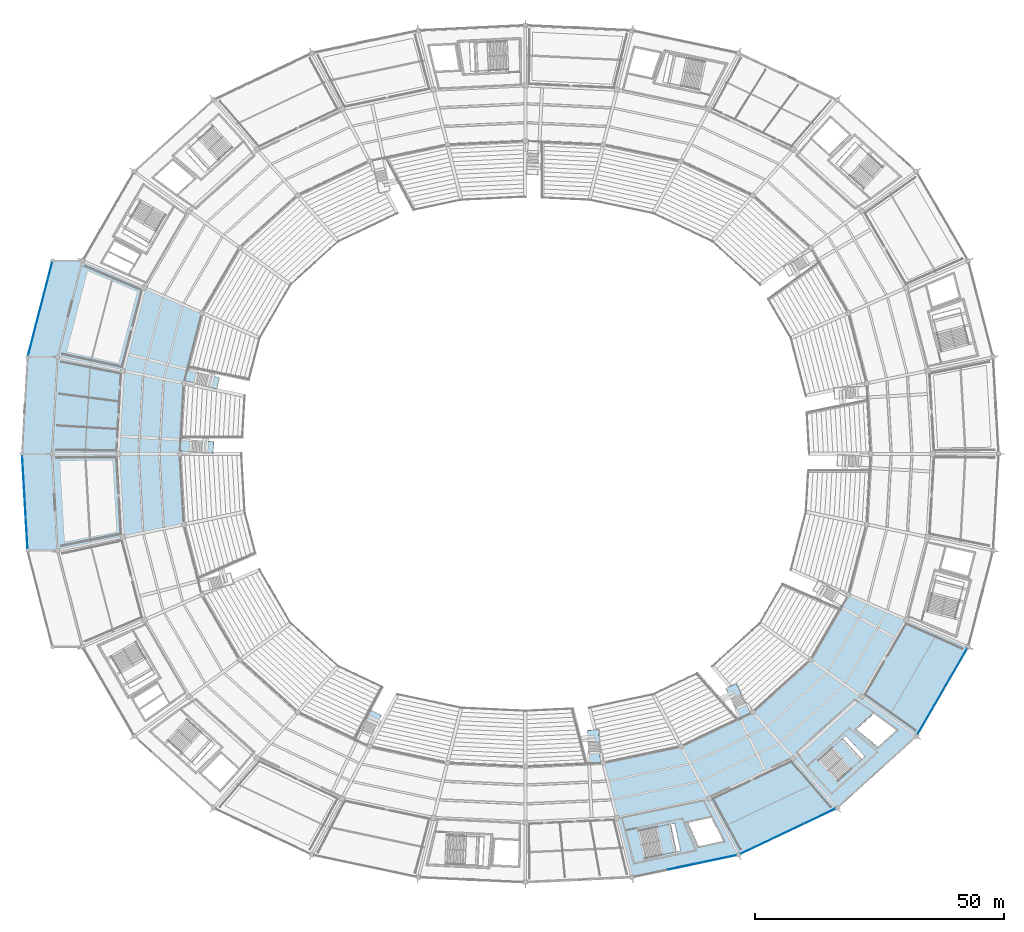
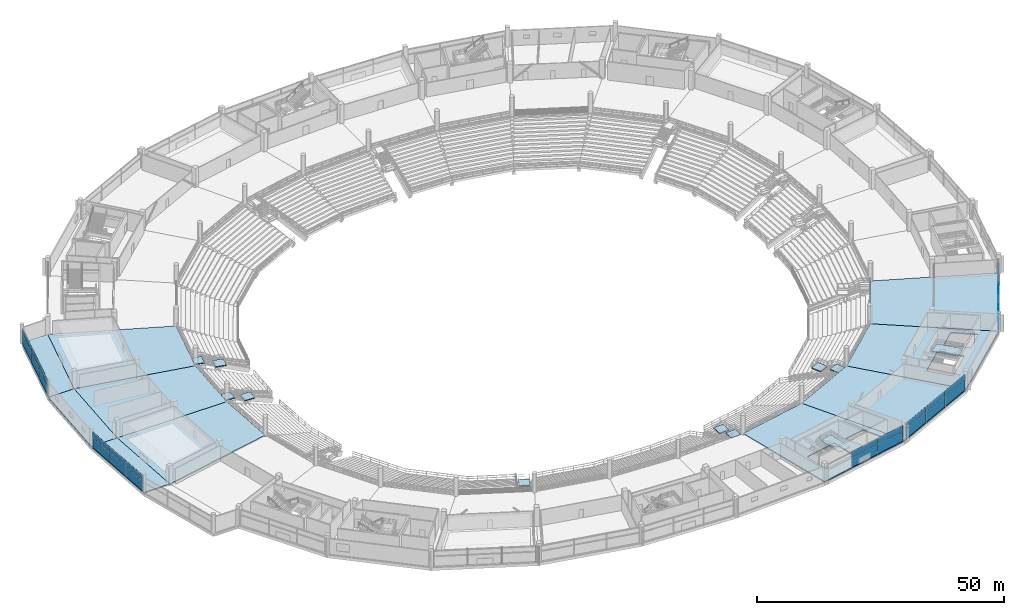
# One storey, part 97 of 156: 27 plates, 21 slabs, 12 elements without a shape of their own.
"""IFC4 building model written with IfcOpenShell, lengths in metres."""

from ifc_helpers import new_model, si_unit, direction, frame, origin, origin_2d, place, context, subcontext, project, spatial, polyline, rectangle, outline, extrude, material, layer, layer_set, type_object, element, aggregate, save


model = new_model("IFC4")

# Units and contexts
model_context = context("Model", 3, precision=1e-05, world=origin(), true_north=direction((0.0, 1.0)))
body_context = subcontext(model_context, "Body", "Model", "MODEL_VIEW")
ifc_project = project(units=[si_unit("LENGTHUNIT", "METRE"), si_unit("AREAUNIT", "SQUARE_METRE"), si_unit("VOLUMEUNIT", "CUBIC_METRE"), si_unit("PLANEANGLEUNIT", "RADIAN"), si_unit("MASSUNIT", "GRAM", prefix="KILO")], contexts=[model_context])

# Site, building, storey
site_placement = place(None, origin())
site = spatial("IfcSite", under=ifc_project, at=site_placement, CompositionType="ELEMENT")
building_placement = place(site_placement, origin())
building = spatial("IfcBuilding", under=site, at=building_placement, Name="Kazemori Nagisa Stadium", CompositionType="ELEMENT")
storey_placement = place(building_placement, frame((0.0, 0.0, 5.780029296875)))
storey = spatial("IfcBuildingStorey", under=building, at=storey_placement, Name="L01", CompositionType="ELEMENT", Elevation=5.780029296875)

# Curtain wall, plates
ifc_material_1 = material(Name="Anodised aluminium 6063-T5", Category="aluminium")
ifc_layer_1 = layer(ifc_material_1, 0.179931640625, Name="Anodised aluminium 6063-T5", Category="aluminium")
ifc_layer_set_1 = layer_set([ifc_layer_1], Name="Anodised aluminium 6063-T5")
curtain_wall_type_1 = type_object("IfcCurtainWallType", Name="CW_L01R3_105", PredefinedType="USERDEFINED", material=ifc_layer_set_1)
curtain_wall_1_placement = place(storey_placement, origin())
curtain_wall_1 = element("IfcCurtainWall", 1, at=curtain_wall_1_placement, inside=storey, type_object=curtain_wall_type_1, Name="Unitised curtain wall CW-L01R3-105 L01", ObjectType="UNITISED CURTAIN WALL", PredefinedType="USERDEFINED")
ifc_material_2 = material(Name="Anodised aluminium spandrel sheet", Category="aluminium")
ifc_layer_2 = layer(ifc_material_2, 0.0458984375, Name="Anodised aluminium spandrel sheet", Category="aluminium")
ifc_layer_set_2 = layer_set([ifc_layer_2], Name="Anodised aluminium spandrel sheet")
plate_type_1 = type_object("IfcPlateType", Name="CWPanel_SPN_L01R3_105", PredefinedType="CURTAIN_PANEL", material=ifc_layer_set_2)
plate_1_placement = place(storey_placement, frame((155.1162109375, 19.2744140625, 2.4638671875), z_axis=(0.0, 0.0, 1.0), x_axis=(0.978344955407, 0.206981033502, 0.0)))
plate_1 = element("IfcPlate", 2, at=plate_1_placement, type_object=plate_type_1, Name="Curtain wall spandrel panel CW-L01R3-105-S2", PredefinedType="CURTAIN_PANEL", context=body_context, shape_type="SweptSolid", body=[
    extrude(rectangle(XDim=6.942626953125, YDim=0.0458984375, at=origin_2d()), origin(), (0.0, 0.0, 1.0), 1.385986328125),
])
plate_2_placement = place(storey_placement, frame((161.93212890625, 20.716552734375, 2.4638671875), z_axis=(0.0, 0.0, 1.0), x_axis=(0.978344955407, 0.206981033502, 0.0)))
plate_2 = element("IfcPlate", 3, at=plate_2_placement, type_object=plate_type_1, Name="Curtain wall spandrel panel CW-L01R3-105-S3", PredefinedType="CURTAIN_PANEL", context=body_context, shape_type="SweptSolid", body=[
    extrude(rectangle(XDim=6.942626953125, YDim=0.0458984375, at=origin_2d()), origin(), (0.0, 0.0, 1.0), 1.385986328125),
])

curtain_wall_2_placement = place(storey_placement, origin())
curtain_wall_2 = element("IfcCurtainWall", 4, at=curtain_wall_2_placement, inside=storey, type_object=curtain_wall_type_1, Name="Unitised curtain wall CW-L01R3-105 L01", ObjectType="UNITISED CURTAIN WALL", PredefinedType="USERDEFINED")
plate_3_placement = place(storey_placement, frame((169.3896484375, 23.2392578125, 2.4638671875), z_axis=(0.0, 0.0, 1.0), x_axis=(0.903215892654, 0.429186499388, 0.0)))
plate_3 = element("IfcPlate", 5, at=plate_3_placement, type_object=plate_type_1, Name="Curtain wall spandrel panel CW-L01R3-105-S1", PredefinedType="CURTAIN_PANEL", context=body_context, shape_type="SweptSolid", body=[
    extrude(rectangle(XDim=6.964111328125, YDim=0.0458984375, at=origin_2d()), origin(), (0.0, 0.0, 1.0), 1.385986328125),
])
plate_4_placement = place(storey_placement, frame((175.701416015625, 26.23828125, 2.4638671875), z_axis=(0.0, 0.0, 1.0), x_axis=(0.903215892654, 0.429186499388, 0.0)))
plate_4 = element("IfcPlate", 6, at=plate_4_placement, type_object=plate_type_1, Name="Curtain wall spandrel panel CW-L01R3-105-S2", PredefinedType="CURTAIN_PANEL", context=body_context, shape_type="SweptSolid", body=[
    extrude(rectangle(XDim=6.964111328125, YDim=0.0458984375, at=origin_2d()), origin(), (0.0, 0.0, 1.0), 1.385986328125),
])
plate_5_placement = place(storey_placement, frame((182.01318359375, 29.237548828125, 2.4638671875), z_axis=(0.0, 0.0, 1.0), x_axis=(0.903215892654, 0.429186499388, 0.0)))
plate_5 = element("IfcPlate", 7, at=plate_5_placement, type_object=plate_type_1, Name="Curtain wall spandrel panel CW-L01R3-105-S3", PredefinedType="CURTAIN_PANEL", context=body_context, shape_type="SweptSolid", body=[
    extrude(rectangle(XDim=6.964111328125, YDim=0.0458984375, at=origin_2d()), origin(), (0.0, 0.0, 1.0), 1.385986328125),
])

ifc_layer_3 = layer(ifc_material_1, 0.179931640625, Name="Anodised aluminium 6063-T5", Category="aluminium")
ifc_layer_set_3 = layer_set([ifc_layer_3], Name="Anodised aluminium 6063-T5")
curtain_wall_type_2 = type_object("IfcCurtainWallType", Name="CW_L01R3_93", PredefinedType="USERDEFINED", material=ifc_layer_set_3)
curtain_wall_3_placement = place(storey_placement, origin())
curtain_wall_3 = element("IfcCurtainWall", 8, at=curtain_wall_3_placement, inside=storey, type_object=curtain_wall_type_2, Name="Unitised curtain wall CW-L01R3-93 L01", ObjectType="UNITISED CURTAIN WALL", PredefinedType="USERDEFINED")
ifc_layer_4 = layer(ifc_material_2, 0.0458984375, Name="Anodised aluminium spandrel sheet", Category="aluminium")
ifc_layer_set_4 = layer_set([ifc_layer_4], Name="Anodised aluminium spandrel sheet")
plate_type_2 = type_object("IfcPlateType", Name="CWPanel_SPN_L01R3_93", PredefinedType="CURTAIN_PANEL", material=ifc_layer_set_4)
plate_6_placement = place(storey_placement, frame((22.20361328125, 98.470947265625, 2.4638671875), z_axis=(0.0, 0.0, 1.0), x_axis=(0.057601670941, -0.998339645364, 0.0)))
plate_6 = element("IfcPlate", 9, at=plate_6_placement, type_object=plate_type_2, Name="Curtain wall spandrel panel CW-L01R3-93-S1", PredefinedType="CURTAIN_PANEL", context=body_context, shape_type="SweptSolid", body=[
    extrude(rectangle(XDim=6.156005859375, YDim=0.0458984375, at=origin_2d()), origin(), (0.0, 0.0, 1.0), 1.385986328125),
])
plate_7_placement = place(storey_placement, frame((22.5595703125, 92.30126953125, 2.4638671875), z_axis=(0.0, 0.0, 1.0), x_axis=(0.057601670941, -0.998339645364, 0.0)))
plate_7 = element("IfcPlate", 10, at=plate_7_placement, type_object=plate_type_2, Name="Curtain wall spandrel panel CW-L01R3-93-S2", PredefinedType="CURTAIN_PANEL", context=body_context, shape_type="SweptSolid", body=[
    extrude(rectangle(XDim=6.156005859375, YDim=0.0458984375, at=origin_2d()), origin(), (0.0, 0.0, 1.0), 1.385986328125),
])
plate_8_placement = place(storey_placement, frame((22.91552734375, 86.13134765625, 2.4638671875), z_axis=(0.0, 0.0, 1.0), x_axis=(0.057601670941, -0.998339645364, 0.0)))
plate_8 = element("IfcPlate", 11, at=plate_8_placement, type_object=plate_type_2, Name="Curtain wall spandrel panel CW-L01R3-93-S3", PredefinedType="CURTAIN_PANEL", context=body_context, shape_type="SweptSolid", body=[
    extrude(rectangle(XDim=6.156005859375, YDim=0.0458984375, at=origin_2d()), origin(), (0.0, 0.0, 1.0), 1.385986328125),
])

ifc_layer_5 = layer(ifc_material_1, 0.179931640625, Name="Anodised aluminium 6063-T5", Category="aluminium")
ifc_layer_set_5 = layer_set([ifc_layer_5], Name="Anodised aluminium 6063-T5")
curtain_wall_type_3 = type_object("IfcCurtainWallType", Name="CW_L01R3_96", PredefinedType="USERDEFINED", material=ifc_layer_set_5)
curtain_wall_4_placement = place(storey_placement, origin())
curtain_wall_4 = element("IfcCurtainWall", 12, at=curtain_wall_4_placement, inside=storey, type_object=curtain_wall_type_3, Name="Unitised curtain wall CW-L01R3-96 L01", ObjectType="UNITISED CURTAIN WALL", PredefinedType="USERDEFINED")
ifc_layer_6 = layer(ifc_material_2, 0.0458984375, Name="Anodised aluminium spandrel sheet", Category="aluminium")
ifc_layer_set_6 = layer_set([ifc_layer_6], Name="Anodised aluminium spandrel sheet")
plate_type_3 = type_object("IfcPlateType", Name="CWPanel_SPN_L01R3_96", PredefinedType="CURTAIN_PANEL", material=ifc_layer_set_6)
plate_9_placement = place(storey_placement, frame((27.208251953125, 137.237060546875, 2.4638671875), z_axis=(0.0, 0.0, 1.0), x_axis=(-0.249964642418, -0.968254965152, 0.0)))
plate_9 = element("IfcPlate", 13, at=plate_9_placement, type_object=plate_type_3, Name="Curtain wall spandrel panel CW-L01R3-96-S1", PredefinedType="CURTAIN_PANEL", context=body_context, shape_type="SweptSolid", body=[
    extrude(rectangle(XDim=6.34130859375, YDim=0.0458984375, at=origin_2d()), origin(), (0.0, 0.0, 1.0), 1.385986328125),
])
plate_10_placement = place(storey_placement, frame((25.6171875, 131.07373046875, 2.4638671875), z_axis=(0.0, 0.0, 1.0), x_axis=(-0.249964642418, -0.968254965152, 0.0)))
plate_10 = element("IfcPlate", 14, at=plate_10_placement, type_object=plate_type_3, Name="Curtain wall spandrel panel CW-L01R3-96-S2", PredefinedType="CURTAIN_PANEL", context=body_context, shape_type="SweptSolid", body=[
    extrude(rectangle(XDim=6.34130859375, YDim=0.0458984375, at=origin_2d()), origin(), (0.0, 0.0, 1.0), 1.385986328125),
])
plate_11_placement = place(storey_placement, frame((24.02587890625, 124.91015625, 2.4638671875), z_axis=(0.0, 0.0, 1.0), x_axis=(-0.249964642418, -0.968254965152, 0.0)))
plate_11 = element("IfcPlate", 15, at=plate_11_placement, type_object=plate_type_3, Name="Curtain wall spandrel panel CW-L01R3-96-S3", PredefinedType="CURTAIN_PANEL", context=body_context, shape_type="SweptSolid", body=[
    extrude(rectangle(XDim=6.34130859375, YDim=0.0458984375, at=origin_2d()), origin(), (0.0, 0.0, 1.0), 1.385986328125),
])

ifc_layer_7 = layer(ifc_material_1, 0.179931640625, Name="Anodised aluminium 6063-T5", Category="aluminium")
ifc_layer_set_7 = layer_set([ifc_layer_7], Name="Anodised aluminium 6063-T5")
curtain_wall_type_4 = type_object("IfcCurtainWallType", Name="CW_L01R3_99", PredefinedType="USERDEFINED", material=ifc_layer_set_7)
curtain_wall_5_placement = place(storey_placement, origin())
curtain_wall_5 = element("IfcCurtainWall", 16, at=curtain_wall_5_placement, inside=storey, type_object=curtain_wall_type_4, Name="Unitised curtain wall CW-L01R3-99 L01", ObjectType="UNITISED CURTAIN WALL", PredefinedType="USERDEFINED")
ifc_layer_8 = layer(ifc_material_2, 0.0458984375, Name="Anodised aluminium spandrel sheet", Category="aluminium")
ifc_layer_set_8 = layer_set([ifc_layer_8], Name="Anodised aluminium spandrel sheet")
plate_type_4 = type_object("IfcPlateType", Name="CWPanel_SPN_L01R3_99", PredefinedType="CURTAIN_PANEL", material=ifc_layer_set_8)
plate_12_placement = place(storey_placement, frame((203.3857421875, 48.5927734375, 2.4638671875), z_axis=(0.0, 0.0, 1.0), x_axis=(0.501611590054, 0.865092950337, 0.0)))
plate_12 = element("IfcPlate", 17, at=plate_12_placement, type_object=plate_type_4, Name="Curtain wall spandrel panel CW-L01R3-99-S1", PredefinedType="CURTAIN_PANEL", context=body_context, shape_type="SweptSolid", body=[
    extrude(rectangle(XDim=6.563232421875, YDim=0.0458984375, at=origin_2d()), origin(), (0.0, 0.0, 1.0), 1.385986328125),
])
plate_13_placement = place(storey_placement, frame((206.690185546875, 54.29150390625, 2.4638671875), z_axis=(0.0, 0.0, 1.0), x_axis=(0.501611590054, 0.865092950337, 0.0)))
plate_13 = element("IfcPlate", 18, at=plate_13_placement, type_object=plate_type_4, Name="Curtain wall spandrel panel CW-L01R3-99-S2", PredefinedType="CURTAIN_PANEL", context=body_context, shape_type="SweptSolid", body=[
    extrude(rectangle(XDim=6.563232421875, YDim=0.0458984375, at=origin_2d()), origin(), (0.0, 0.0, 1.0), 1.385986328125),
])

# Plate
ifc_material_3 = material(Name="Low-e laminated double glazing", Category="glass")
ifc_layer_9 = layer(ifc_material_3, 0.028076171875, Name="Low-e laminated double glazing", Category="glass")
ifc_layer_set_9 = layer_set([ifc_layer_9], Name="Low-e laminated double glazing")
plate_type_5 = type_object("IfcPlateType", Name="CWPanel_VIS_L01R3_105", PredefinedType="CURTAIN_PANEL", material=ifc_layer_set_9)
plate_14_placement = place(storey_placement, frame((155.1162109375, 19.2744140625, 0.0), z_axis=(0.0, 0.0, 1.0), x_axis=(0.978344955407, 0.206981033502, 0.0)))
plate_14 = element("IfcPlate", 19, at=plate_14_placement, type_object=plate_type_5, Name="Curtain wall vision panel CW-L01R3-105-V2", PredefinedType="CURTAIN_PANEL", context=body_context, shape_type="SweptSolid", body=[
    extrude(rectangle(XDim=6.942626953125, YDim=0.028076171875, at=origin_2d()), origin(), (0.0, 0.0, 1.0), 2.464111328125),
])

plate_15_placement = place(storey_placement, frame((161.93212890625, 20.716552734375, 0.0), z_axis=(0.0, 0.0, 1.0), x_axis=(0.978344955407, 0.206981033502, 0.0)))
plate_15 = element("IfcPlate", 20, at=plate_15_placement, type_object=plate_type_5, Name="Curtain wall vision panel CW-L01R3-105-V3", PredefinedType="CURTAIN_PANEL", context=body_context, shape_type="SweptSolid", body=[
    extrude(rectangle(XDim=6.942626953125, YDim=0.028076171875, at=origin_2d()), origin(), (0.0, 0.0, 1.0), 2.464111328125),
])

aggregate(curtain_wall_1, [plate_14, plate_1, plate_15, plate_2])

plate_16_placement = place(storey_placement, frame((169.3896484375, 23.2392578125, 0.0), z_axis=(0.0, 0.0, 1.0), x_axis=(0.903215892654, 0.429186499388, 0.0)))
plate_16 = element("IfcPlate", 21, at=plate_16_placement, type_object=plate_type_5, Name="Curtain wall vision panel CW-L01R3-105-V1", PredefinedType="CURTAIN_PANEL", context=body_context, shape_type="SweptSolid", body=[
    extrude(rectangle(XDim=6.964111328125, YDim=0.028076171875, at=origin_2d()), origin(), (0.0, 0.0, 1.0), 2.464111328125),
])

plate_17_placement = place(storey_placement, frame((175.701416015625, 26.23828125, 0.0), z_axis=(0.0, 0.0, 1.0), x_axis=(0.903215892654, 0.429186499388, 0.0)))
plate_17 = element("IfcPlate", 22, at=plate_17_placement, type_object=plate_type_5, Name="Curtain wall vision panel CW-L01R3-105-V2", PredefinedType="CURTAIN_PANEL", context=body_context, shape_type="SweptSolid", body=[
    extrude(rectangle(XDim=6.964111328125, YDim=0.028076171875, at=origin_2d()), origin(), (0.0, 0.0, 1.0), 2.464111328125),
])

plate_18_placement = place(storey_placement, frame((182.01318359375, 29.237548828125, 0.0), z_axis=(0.0, 0.0, 1.0), x_axis=(0.903215892654, 0.429186499388, 0.0)))
plate_18 = element("IfcPlate", 23, at=plate_18_placement, type_object=plate_type_5, Name="Curtain wall vision panel CW-L01R3-105-V3", PredefinedType="CURTAIN_PANEL", context=body_context, shape_type="SweptSolid", body=[
    extrude(rectangle(XDim=6.964111328125, YDim=0.028076171875, at=origin_2d()), origin(), (0.0, 0.0, 1.0), 2.464111328125),
])

aggregate(curtain_wall_2, [plate_16, plate_3, plate_17, plate_4, plate_18, plate_5])

ifc_layer_10 = layer(ifc_material_3, 0.028076171875, Name="Low-e laminated double glazing", Category="glass")
ifc_layer_set_10 = layer_set([ifc_layer_10], Name="Low-e laminated double glazing")
plate_type_6 = type_object("IfcPlateType", Name="CWPanel_VIS_L01R3_93", PredefinedType="CURTAIN_PANEL", material=ifc_layer_set_10)
plate_19_placement = place(storey_placement, frame((22.20361328125, 98.470947265625, 0.0), z_axis=(0.0, 0.0, 1.0), x_axis=(0.057601670941, -0.998339645364, 0.0)))
plate_19 = element("IfcPlate", 24, at=plate_19_placement, type_object=plate_type_6, Name="Curtain wall vision panel CW-L01R3-93-V1", PredefinedType="CURTAIN_PANEL", context=body_context, shape_type="SweptSolid", body=[
    extrude(rectangle(XDim=6.156005859375, YDim=0.028076171875, at=origin_2d()), origin(), (0.0, 0.0, 1.0), 2.464111328125),
])

plate_20_placement = place(storey_placement, frame((22.5595703125, 92.30126953125, 0.0), z_axis=(0.0, 0.0, 1.0), x_axis=(0.057601670941, -0.998339645364, 0.0)))
plate_20 = element("IfcPlate", 25, at=plate_20_placement, type_object=plate_type_6, Name="Curtain wall vision panel CW-L01R3-93-V2", PredefinedType="CURTAIN_PANEL", context=body_context, shape_type="SweptSolid", body=[
    extrude(rectangle(XDim=6.156005859375, YDim=0.028076171875, at=origin_2d()), origin(), (0.0, 0.0, 1.0), 2.464111328125),
])

plate_21_placement = place(storey_placement, frame((22.91552734375, 86.13134765625, 0.0), z_axis=(0.0, 0.0, 1.0), x_axis=(0.057601670941, -0.998339645364, 0.0)))
plate_21 = element("IfcPlate", 26, at=plate_21_placement, type_object=plate_type_6, Name="Curtain wall vision panel CW-L01R3-93-V3", PredefinedType="CURTAIN_PANEL", context=body_context, shape_type="SweptSolid", body=[
    extrude(rectangle(XDim=6.156005859375, YDim=0.028076171875, at=origin_2d()), origin(), (0.0, 0.0, 1.0), 2.464111328125),
])

aggregate(curtain_wall_3, [plate_19, plate_6, plate_20, plate_7, plate_21, plate_8])

ifc_layer_11 = layer(ifc_material_3, 0.028076171875, Name="Low-e laminated double glazing", Category="glass")
ifc_layer_set_11 = layer_set([ifc_layer_11], Name="Low-e laminated double glazing")
plate_type_7 = type_object("IfcPlateType", Name="CWPanel_VIS_L01R3_96", PredefinedType="CURTAIN_PANEL", material=ifc_layer_set_11)
plate_22_placement = place(storey_placement, frame((27.208251953125, 137.237060546875, 0.0), z_axis=(0.0, 0.0, 1.0), x_axis=(-0.249964642418, -0.968254965152, 0.0)))
plate_22 = element("IfcPlate", 27, at=plate_22_placement, type_object=plate_type_7, Name="Curtain wall vision panel CW-L01R3-96-V1", PredefinedType="CURTAIN_PANEL", context=body_context, shape_type="SweptSolid", body=[
    extrude(rectangle(XDim=6.34130859375, YDim=0.028076171875, at=origin_2d()), origin(), (0.0, 0.0, 1.0), 2.464111328125),
])

plate_23_placement = place(storey_placement, frame((25.6171875, 131.07373046875, 0.0), z_axis=(0.0, 0.0, 1.0), x_axis=(-0.249964642418, -0.968254965152, 0.0)))
plate_23 = element("IfcPlate", 28, at=plate_23_placement, type_object=plate_type_7, Name="Curtain wall vision panel CW-L01R3-96-V2", PredefinedType="CURTAIN_PANEL", context=body_context, shape_type="SweptSolid", body=[
    extrude(rectangle(XDim=6.34130859375, YDim=0.028076171875, at=origin_2d()), origin(), (0.0, 0.0, 1.0), 2.464111328125),
])

plate_24_placement = place(storey_placement, frame((24.02587890625, 124.91015625, 0.0), z_axis=(0.0, 0.0, 1.0), x_axis=(-0.249964642418, -0.968254965152, 0.0)))
plate_24 = element("IfcPlate", 29, at=plate_24_placement, type_object=plate_type_7, Name="Curtain wall vision panel CW-L01R3-96-V3", PredefinedType="CURTAIN_PANEL", context=body_context, shape_type="SweptSolid", body=[
    extrude(rectangle(XDim=6.34130859375, YDim=0.028076171875, at=origin_2d()), origin(), (0.0, 0.0, 1.0), 2.464111328125),
])

aggregate(curtain_wall_4, [plate_22, plate_9, plate_23, plate_10, plate_24, plate_11])

ifc_layer_12 = layer(ifc_material_3, 0.028076171875, Name="Low-e laminated double glazing", Category="glass")
ifc_layer_set_12 = layer_set([ifc_layer_12], Name="Low-e laminated double glazing")
plate_type_8 = type_object("IfcPlateType", Name="CWPanel_VIS_L01R3_99", PredefinedType="CURTAIN_PANEL", material=ifc_layer_set_12)
plate_25_placement = place(storey_placement, frame((203.3857421875, 48.5927734375, 0.0), z_axis=(0.0, 0.0, 1.0), x_axis=(0.501611590054, 0.865092950337, 0.0)))
plate_25 = element("IfcPlate", 30, at=plate_25_placement, type_object=plate_type_8, Name="Curtain wall vision panel CW-L01R3-99-V1", PredefinedType="CURTAIN_PANEL", context=body_context, shape_type="SweptSolid", body=[
    extrude(rectangle(XDim=6.563232421875, YDim=0.028076171875, at=origin_2d()), origin(), (0.0, 0.0, 1.0), 2.464111328125),
])

plate_26_placement = place(storey_placement, frame((206.690185546875, 54.29150390625, 0.0), z_axis=(0.0, 0.0, 1.0), x_axis=(0.501611590054, 0.865092950337, 0.0)))
plate_26 = element("IfcPlate", 31, at=plate_26_placement, type_object=plate_type_8, Name="Curtain wall vision panel CW-L01R3-99-V2", PredefinedType="CURTAIN_PANEL", context=body_context, shape_type="SweptSolid", body=[
    extrude(rectangle(XDim=6.563232421875, YDim=0.028076171875, at=origin_2d()), origin(), (0.0, 0.0, 1.0), 2.464111328125),
])

plate_27_placement = place(storey_placement, frame((209.994384765625, 59.990234375, 0.0), z_axis=(0.0, 0.0, 1.0), x_axis=(0.501611590054, 0.865092950337, 0.0)))
plate_27 = element("IfcPlate", 32, at=plate_27_placement, type_object=plate_type_8, Name="Curtain wall vision panel CW-L01R3-99-V3", PredefinedType="CURTAIN_PANEL", context=body_context, shape_type="SweptSolid", body=[
    extrude(rectangle(XDim=6.563232421875, YDim=0.028076171875, at=origin_2d()), origin(), (0.0, 0.0, 1.0), 2.464111328125),
])

aggregate(curtain_wall_5, [plate_25, plate_12, plate_26, plate_13, plate_27])

# Slabs
ifc_material_4 = material(Name="Concrete C36/45 (Fc36)", Category="concrete")
ifc_layer_13 = layer(ifc_material_4, 0.280029296875, Name="Concrete C36/45 (Fc36)", Category="concrete")
ifc_layer_set_13 = layer_set([ifc_layer_13], Name="Concrete C36/45 (Fc36)")
slab_type_1 = type_object("IfcSlabType", Name="Slab_SL-CONC-280", PredefinedType="FLOOR", material=ifc_layer_set_13)
slab_1_placement = place(storey_placement, frame((0.0, 0.0, -0.280029296875)))
element("IfcSlab", 33, at=slab_1_placement, inside=storey, type_object=slab_type_1, Name="Concourse floor slab L01 bay 13", PredefinedType="FLOOR", context=body_context, shape_type="SweptSolid", body=[
    extrude(outline(polyline([(58.114013671875, 130.287109375), (54.467041015625, 116.160400390625), (29.119140625, 121.397705078125), (34.114990234375, 140.74951171875), (58.114013671875, 130.287109375)])), origin(), (0.0, 0.0, 1.0), 0.280029296875),
])
slab_2_placement = place(storey_placement, frame((0.0, 0.0, -0.280029296875)))
element("IfcSlab", 34, at=slab_2_placement, inside=storey, type_object=slab_type_1, Name="Concourse floor slab L01 bay 14", PredefinedType="FLOOR", context=body_context, shape_type="SweptSolid", body=[
    extrude(outline(polyline([(54.467041015625, 116.160400390625), (53.64990234375, 102.0), (28.0, 102.0), (29.119140625, 121.397705078125), (54.467041015625, 116.160400390625)])), origin(), (0.0, 0.0, 1.0), 0.280029296875),
])
slab_3_placement = place(storey_placement, frame((0.0, 0.0, -0.280029296875)))
element("IfcSlab", 35, at=slab_3_placement, inside=storey, type_object=slab_type_1, Name="Concourse floor slab L01 bay 15", PredefinedType="FLOOR", context=body_context, shape_type="SweptSolid", body=[
    extrude(outline(polyline([(53.64990234375, 102.0), (54.467041015625, 87.839599609375), (29.119140625, 82.602294921875), (28.0, 102.0), (53.64990234375, 102.0)])), origin(), (0.0, 0.0, 1.0), 0.280029296875),
])
slab_4_placement = place(storey_placement, frame((0.0, 0.0, -0.280029296875)))
element("IfcSlab", 36, at=slab_4_placement, inside=storey, type_object=slab_type_1, Name="Concourse floor slab L01 bay 23", PredefinedType="FLOOR", context=body_context, shape_type="SweptSolid", body=[
    extrude(outline(polyline([(138.64208984375, 39.959716796875), (154.24755859375, 43.260986328125), (165.8046875, 21.53564453125), (144.427734375, 17.01318359375), (138.64208984375, 39.959716796875)]), holes=[polyline([(145.77685546875, 26.353271484375), (152.9970703125, 27.880615234375), (154.177001953125, 22.30419921875), (146.956787109375, 20.776611328125), (145.77685546875, 26.353271484375)]), polyline([(155.704833984375, 27.992919921875), (160.3427734375, 28.97412109375), (162.738525390625, 24.288818359375), (157.802978515625, 23.24462890625), (155.704833984375, 27.992919921875)])]), origin(), (0.0, 0.0, 1.0), 0.280029296875),
])
slab_5_placement = place(storey_placement, frame((0.0, 0.0, -0.280029296875)))
element("IfcSlab", 37, at=slab_5_placement, inside=storey, type_object=slab_type_1, Name="Concourse floor slab L01 bay 24", PredefinedType="FLOOR", context=body_context, shape_type="SweptSolid", body=[
    extrude(outline(polyline([(154.24755859375, 43.260986328125), (168.696533203125, 50.126953125), (185.597900390625, 30.94091796875), (165.8046875, 21.53564453125), (154.24755859375, 43.260986328125)])), origin(), (0.0, 0.0, 1.0), 0.280029296875),
])
slab_6_placement = place(storey_placement, frame((0.0, 0.0, -0.280029296875)))
element("IfcSlab", 38, at=slab_6_placement, inside=storey, type_object=slab_type_1, Name="Concourse floor slab L01 bay 25", PredefinedType="FLOOR", context=body_context, shape_type="SweptSolid", body=[
    extrude(outline(polyline([(168.696533203125, 50.126953125), (180.301513671875, 60.632568359375), (201.495361328125, 45.332275390625), (185.597900390625, 30.94091796875), (168.696533203125, 50.126953125)]), holes=[polyline([(181.87890625, 40.5205078125), (187.35009765625, 45.473388671875), (191.17529296875, 41.247802734375), (185.7041015625, 36.294921875), (181.87890625, 40.5205078125)]), polyline([(189.504638671875, 46.739501953125), (192.953857421875, 49.86181640625), (197.442138671875, 46.5166015625), (193.771728515625, 43.19384765625), (189.504638671875, 46.739501953125)])]), origin(), (0.0, 0.0, 1.0), 0.280029296875),
])
slab_7_placement = place(storey_placement, frame((0.0, 0.0, -0.280029296875)))
element("IfcSlab", 39, at=slab_7_placement, inside=storey, type_object=slab_type_1, Name="Concourse floor slab L01 bay 26", PredefinedType="FLOOR", context=body_context, shape_type="SweptSolid", body=[
    extrude(outline(polyline([(180.301513671875, 60.632568359375), (187.885986328125, 73.712890625), (211.885009765625, 63.25048828125), (201.495361328125, 45.332275390625), (180.301513671875, 60.632568359375)])), origin(), (0.0, 0.0, 1.0), 0.280029296875),
])
slab_8_placement = place(storey_placement, frame((0.0, 0.0, -0.280029296875)))
element("IfcSlab", 40, at=slab_8_placement, inside=storey, type_object=slab_type_1, Name="West grandstand floor slab L01 B13", PredefinedType="FLOOR", context=body_context, shape_type="SweptSolid", body=[
    extrude(outline(polyline([(34.114990234375, 140.74951171875), (29.119140625, 121.397705078125), (23.119140625, 121.397705078125), (28.114990234375, 140.74951171875), (34.114990234375, 140.74951171875)])), origin(), (0.0, 0.0, 1.0), 0.280029296875),
])
slab_9_placement = place(storey_placement, frame((0.0, 0.0, -0.280029296875)))
element("IfcSlab", 41, at=slab_9_placement, inside=storey, type_object=slab_type_1, Name="West grandstand floor slab L01 B14", PredefinedType="FLOOR", context=body_context, shape_type="SweptSolid", body=[
    extrude(outline(polyline([(29.119140625, 121.397705078125), (28.0, 102.0), (22.0, 102.0), (23.119140625, 121.397705078125), (29.119140625, 121.397705078125)])), origin(), (0.0, 0.0, 1.0), 0.280029296875),
])
slab_10_placement = place(storey_placement, frame((0.0, 0.0, -0.280029296875)))
element("IfcSlab", 42, at=slab_10_placement, inside=storey, type_object=slab_type_1, Name="West grandstand floor slab L01 B15", PredefinedType="FLOOR", context=body_context, shape_type="SweptSolid", body=[
    extrude(outline(polyline([(28.0, 102.0), (29.119140625, 82.602294921875), (23.119140625, 82.602294921875), (22.0, 102.0), (28.0, 102.0)])), origin(), (0.0, 0.0, 1.0), 0.280029296875),
])

# Stair, slab
stair_type_1 = type_object("IfcStairType", Name="Stair_CORE_28", PredefinedType="TWO_STRAIGHT_RUN_STAIR", material=ifc_material_4)
stair_1_placement = place(storey_placement, origin())
stair_1 = element("IfcStair", 43, at=stair_1_placement, inside=storey, type_object=stair_type_1, Name="Exit stair ST06 L01", PredefinedType="TWO_STRAIGHT_RUN_STAIR")
ifc_layer_14 = layer(ifc_material_4, 0.199951171875, Name="Concrete C36/45 (Fc36)", Category="concrete")
ifc_layer_set_14 = layer_set([ifc_layer_14], Name="Concrete C36/45 (Fc36)")
slab_type_2 = type_object("IfcSlabType", Name="Slab_SL-LND-200", PredefinedType="LANDING", material=ifc_layer_set_14)
slab_11_placement = place(storey_placement, frame((0.0, 0.0, 2.179931640625)))
slab_11 = element("IfcSlab", 44, at=slab_11_placement, type_object=slab_type_2, Name="Exit stair ST06 L01 mid-landing", PredefinedType="LANDING", context=body_context, shape_type="SweptSolid", body=[
    extrude(outline(polyline([(149.372314453125, 27.11376953125), (152.16064453125, 27.70361328125), (153.34033203125, 22.127197265625), (150.552001953125, 21.537353515625), (149.372314453125, 27.11376953125)])), origin(), (0.0, 0.0, 1.0), 0.199951171875),
])
aggregate(stair_1, [slab_11])

stair_2_placement = place(storey_placement, origin())
stair_2 = element("IfcStair", 45, at=stair_2_placement, inside=storey, type_object=stair_type_1, Name="Exit stair ST04 L01", PredefinedType="TWO_STRAIGHT_RUN_STAIR")
slab_12_placement = place(storey_placement, frame((0.0, 0.0, 2.179931640625)))
slab_12 = element("IfcSlab", 46, at=slab_12_placement, type_object=slab_type_2, Name="Exit stair ST04 L01 mid-landing", PredefinedType="LANDING", context=body_context, shape_type="SweptSolid", body=[
    extrude(outline(polyline([(184.603271484375, 42.98681640625), (186.716064453125, 44.899658203125), (190.54150390625, 40.673828125), (188.4287109375, 38.76123046875), (184.603271484375, 42.98681640625)])), origin(), (0.0, 0.0, 1.0), 0.199951171875),
])
aggregate(stair_2, [slab_12])

stair_type_2 = type_object("IfcStairType", Name="Stair_VOM_VL", PredefinedType="STRAIGHT_RUN_STAIR", material=ifc_material_4)
stair_3_placement = place(storey_placement, origin())
stair_3 = element("IfcStair", 47, at=stair_3_placement, inside=storey, type_object=stair_type_2, Name="Vomitory stair lower VL05", PredefinedType="STRAIGHT_RUN_STAIR")
ifc_layer_15 = layer(ifc_material_4, 0.219970703125, Name="Concrete C36/45 (Fc36)", Category="concrete")
ifc_layer_set_15 = layer_set([ifc_layer_15], Name="Concrete C36/45 (Fc36)")
slab_type_3 = type_object("IfcSlabType", Name="Slab_SL-LND-220", PredefinedType="LANDING", material=ifc_layer_set_15)
slab_13_placement = place(storey_placement, frame((0.0, 0.0, -1.659912109375)))
slab_13 = element("IfcSlab", 48, at=slab_13_placement, type_object=slab_type_3, Name="Vomitory stair lower VL05 landing", PredefinedType="LANDING", context=body_context, shape_type="SweptSolid", body=[
    extrude(outline(polyline([(58.81640625, 115.60546875), (59.391357421875, 117.83251953125), (61.6376953125, 117.252685546875), (61.062744140625, 115.025634765625), (58.81640625, 115.60546875)])), origin(), (0.0, 0.0, 1.0), 0.219970703125),
])
aggregate(stair_3, [slab_13])

stair_4_placement = place(storey_placement, origin())
stair_4 = element("IfcStair", 49, at=stair_4_placement, inside=storey, type_object=stair_type_2, Name="Vomitory stair lower VL06", PredefinedType="STRAIGHT_RUN_STAIR")
slab_14_placement = place(storey_placement, frame((0.0, 0.0, -1.659912109375)))
slab_14 = element("IfcSlab", 50, at=slab_14_placement, type_object=slab_type_3, Name="Vomitory stair lower VL06 landing", PredefinedType="LANDING", context=body_context, shape_type="SweptSolid", body=[
    extrude(outline(polyline([(58.0244140625, 102.298583984375), (58.156982421875, 104.5947265625), (60.47314453125, 104.461181640625), (60.340576171875, 102.164794921875), (58.0244140625, 102.298583984375)])), origin(), (0.0, 0.0, 1.0), 0.219970703125),
])
aggregate(stair_4, [slab_14])

stair_5_placement = place(storey_placement, origin())
stair_5 = element("IfcStair", 51, at=stair_5_placement, inside=storey, type_object=stair_type_2, Name="Vomitory stair lower VL08", PredefinedType="STRAIGHT_RUN_STAIR")
slab_15_placement = place(storey_placement, frame((0.0, 0.0, -1.659912109375)))
slab_15 = element("IfcSlab", 52, at=slab_15_placement, type_object=slab_type_3, Name="Vomitory stair lower VL08 landing", PredefinedType="LANDING", context=body_context, shape_type="SweptSolid", body=[
    extrude(outline(polyline([(93.122802734375, 47.426025390625), (91.04541015625, 48.413330078125), (92.041015625, 50.5087890625), (94.118408203125, 49.521484375), (93.122802734375, 47.426025390625)])), origin(), (0.0, 0.0, 1.0), 0.219970703125),
])
aggregate(stair_5, [slab_15])

stair_6_placement = place(storey_placement, origin())
stair_6 = element("IfcStair", 53, at=stair_6_placement, inside=storey, type_object=stair_type_2, Name="Vomitory stair lower VL09", PredefinedType="STRAIGHT_RUN_STAIR")
slab_16_placement = place(storey_placement, frame((0.0, 0.0, -1.659912109375)))
slab_16 = element("IfcSlab", 54, at=slab_16_placement, type_object=slab_type_3, Name="Vomitory stair lower VL09 landing", PredefinedType="LANDING", context=body_context, shape_type="SweptSolid", body=[
    extrude(outline(polyline([(137.887451171875, 44.27880859375), (135.58984375, 44.170166015625), (135.48046875, 46.487548828125), (137.77783203125, 46.59619140625), (137.887451171875, 44.27880859375)])), origin(), (0.0, 0.0, 1.0), 0.219970703125),
])
aggregate(stair_6, [slab_16])

stair_7_placement = place(storey_placement, origin())
stair_7 = element("IfcStair", 55, at=stair_7_placement, inside=storey, type_object=stair_type_2, Name="Vomitory stair lower VL10", PredefinedType="STRAIGHT_RUN_STAIR")
slab_17_placement = place(storey_placement, frame((0.0, 0.0, -1.659912109375)))
slab_17 = element("IfcSlab", 56, at=slab_17_placement, type_object=slab_type_3, Name="Vomitory stair lower VL10 landing", PredefinedType="LANDING", context=body_context, shape_type="SweptSolid", body=[
    extrude(outline(polyline([(166.332763671875, 53.81982421875), (164.25537109375, 52.832763671875), (163.259765625, 54.92822265625), (165.337158203125, 55.915283203125), (166.332763671875, 53.81982421875)])), origin(), (0.0, 0.0, 1.0), 0.219970703125),
])
aggregate(stair_7, [slab_17])

# Slabs
ifc_layer_16 = layer(ifc_material_4, 0.219970703125, Name="Concrete C36/45 (Fc36)", Category="concrete")
ifc_layer_set_16 = layer_set([ifc_layer_16], Name="Concrete C36/45 (Fc36)")
slab_type_4 = type_object("IfcSlabType", Name="Slab_SL-VOM-220", PredefinedType="FLOOR", material=ifc_layer_set_16)
slab_18_placement = place(storey_placement, frame((0.0, 0.0, -0.219970703125)))
element("IfcSlab", 57, at=slab_18_placement, inside=storey, type_object=slab_type_4, Name="Vomitory portal lower bay 13", PredefinedType="FLOOR", context=body_context, shape_type="SweptSolid", body=[
    extrude(outline(polyline([(54.6044921875, 116.69287109375), (55.179443359375, 118.919921875), (57.212646484375, 118.39501953125), (56.637939453125, 116.16796875), (54.6044921875, 116.69287109375)])), origin(), (0.0, 0.0, 1.0), 0.219970703125),
])
slab_19_placement = place(storey_placement, frame((0.0, 0.0, -0.219970703125)))
element("IfcSlab", 58, at=slab_19_placement, inside=storey, type_object=slab_type_4, Name="Vomitory portal lower bay 14", PredefinedType="FLOOR", context=body_context, shape_type="SweptSolid", body=[
    extrude(outline(polyline([(53.681640625, 102.549072265625), (53.814208984375, 104.84521484375), (55.91064453125, 104.724365234375), (55.778076171875, 102.42822265625), (53.681640625, 102.549072265625)])), origin(), (0.0, 0.0, 1.0), 0.219970703125),
])
slab_20_placement = place(storey_placement, frame((0.0, 0.0, -0.219970703125)))
element("IfcSlab", 59, at=slab_20_placement, inside=storey, type_object=slab_type_4, Name="Vomitory portal lower bay 22", PredefinedType="FLOOR", context=body_context, shape_type="SweptSolid", body=[
    extrude(outline(polyline([(138.0927734375, 39.93359375), (135.79541015625, 39.824951171875), (135.6962890625, 41.922607421875), (137.99365234375, 42.03125), (138.0927734375, 39.93359375)])), origin(), (0.0, 0.0, 1.0), 0.219970703125),
])
slab_21_placement = place(storey_placement, frame((0.0, 0.0, -0.219970703125)))
element("IfcSlab", 60, at=slab_21_placement, inside=storey, type_object=slab_type_4, Name="Vomitory portal lower bay 24", PredefinedType="FLOOR", context=body_context, shape_type="SweptSolid", body=[
    extrude(outline(polyline([(168.19970703125, 49.890869140625), (166.122314453125, 48.90380859375), (165.220947265625, 50.800537109375), (167.298583984375, 51.78759765625), (168.19970703125, 49.890869140625)])), origin(), (0.0, 0.0, 1.0), 0.219970703125),
])

save(model, "model.ifc")
